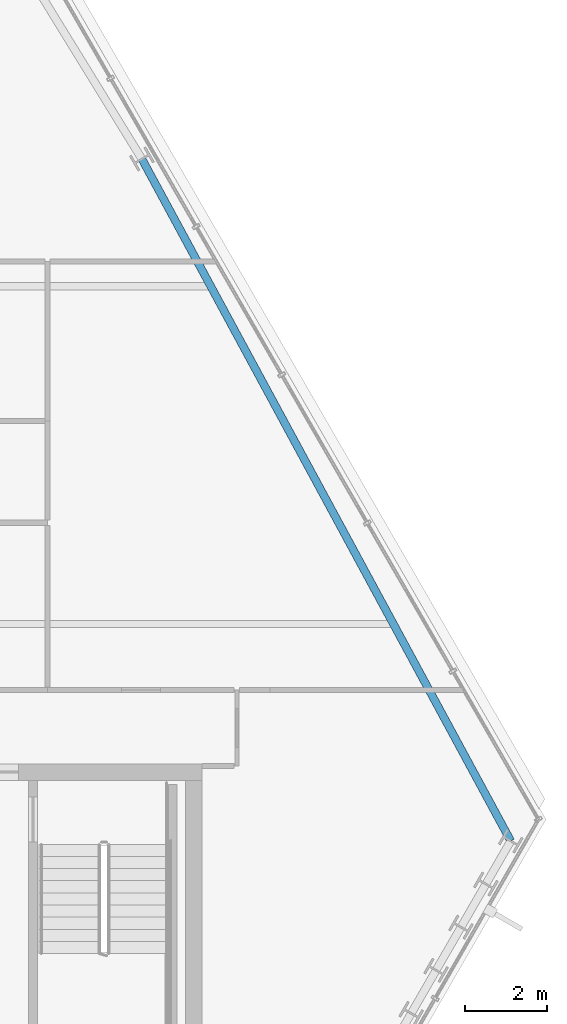
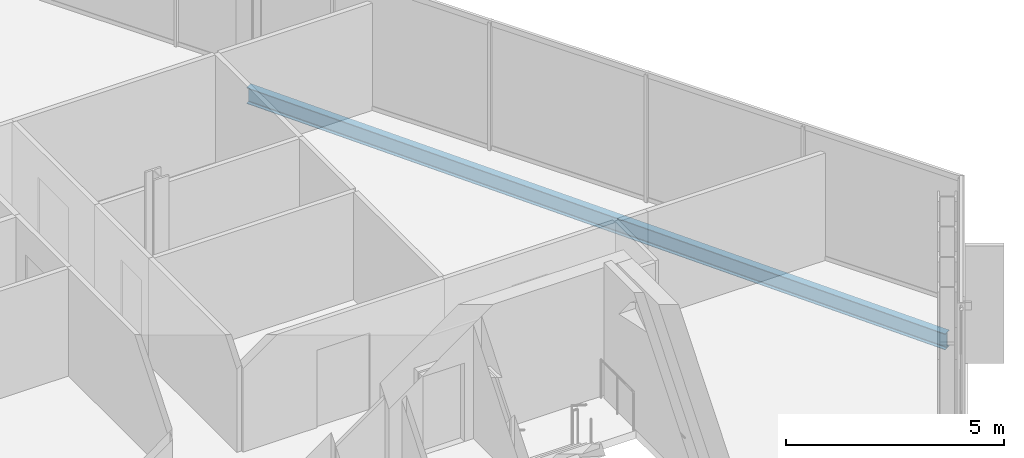
# One storey, part 18 of 35: 1 beam.
"""IFC4 building model written with IfcOpenShell, lengths in metres."""

import ifcopenshell
import ifcopenshell.guid

model = None  # the IFC model being written
_history = None  # IfcOwnerHistory: only IFC2X3 demands one
_inside = {}  # id of a spatial element -> (the spatial element, [elements in it])
_under = {}  # id of a project, library or spatial element -> (it, [spatial elements below it])
_declared = {}  # id of a project -> (the project, [libraries it declares])
_typed = {}  # id of a type object -> (the type object, [elements of that type])
_made_of = {}  # id of a material, layer set ... -> (it, [elements and type objects made of it])


def new_model(schema):
    """Start an empty IFC model of exactly this schema.

    Asked for "IFC4X3", IfcOpenShell would pick the latest addendum, in which some entities
    have other attributes; the version numbers below select the first issue.
    IFC2X3 requires an IfcOwnerHistory on every rooted entity: one is made here for all.
    """
    global model, _history
    if schema == "IFC4X3":
        model = ifcopenshell.file(schema_version=(4, 3, 0, 0))
    else:
        model = ifcopenshell.file(schema=schema)
    _inside.clear()
    _under.clear()
    _declared.clear()
    _typed.clear()
    _made_of.clear()
    _history = None
    if model.schema == "IFC2X3":
        org = make("IfcOrganization", Name="unknown")
        user = make(
            "IfcPersonAndOrganization",
            ThePerson=make("IfcPerson", FamilyName="unknown"),
            TheOrganization=org,
        )
        app = make(
            "IfcApplication",
            ApplicationDeveloper=org,
            Version="unknown",
            ApplicationFullName="unknown",
            ApplicationIdentifier="unknown",
        )
        _history = make(
            "IfcOwnerHistory",
            OwningUser=user,
            OwningApplication=app,
            ChangeAction="ADDED",
            CreationDate=0,
        )
    return model


def make(cls, **values):
    """One entity of the class cls with the attributes given. An attribute that is None is left unset."""
    return model.create_entity(
        cls, **{name: value for name, value in values.items() if value is not None}
    )


def rooted(cls, **values):
    """An entity with a GlobalId (a new one), such as an element, a storey or a relation."""
    return make(cls, GlobalId=ifcopenshell.guid.new(), OwnerHistory=_history, **values)


def si_unit(unit_type, name, prefix=None):
    """IfcSIUnit, for example si_unit("LENGTHUNIT", "METRE", prefix="MILLI")."""
    return make("IfcSIUnit", UnitType=unit_type, Prefix=prefix, Name=name)


def assignment(units):
    """IfcUnitAssignment: the units of a project."""
    return None if units is None else make("IfcUnitAssignment", Units=units)


def point(xyz):
    """IfcCartesianPoint."""
    return None if xyz is None else make("IfcCartesianPoint", Coordinates=xyz)


def direction(xyz):
    """IfcDirection."""
    return None if xyz is None else make("IfcDirection", DirectionRatios=xyz)


def frame(location, z_axis=None, x_axis=None):
    """IfcAxis2Placement3D, a coordinate frame: its origin and axes. An axis left out is left unset."""
    return make(
        "IfcAxis2Placement3D",
        Location=point(location),
        Axis=direction(z_axis),
        RefDirection=direction(x_axis),
    )


def frame_2d(location, x_axis=None):
    """IfcAxis2Placement2D, a coordinate frame in the plane: its origin and x axis."""
    return make(
        "IfcAxis2Placement2D", Location=point(location), RefDirection=direction(x_axis)
    )


def origin():
    """The frame at (0, 0, 0) with its axes left unset."""
    return frame((0.0, 0.0, 0.0))


def origin_2d():
    """The frame at (0, 0) in the plane with its x axis left unset."""
    return frame_2d((0.0, 0.0))


def place(relative_to, where):
    """IfcLocalPlacement: puts the frame where relative to a parent placement (None: the world)."""
    return make(
        "IfcLocalPlacement", PlacementRelTo=relative_to, RelativePlacement=where
    )


def context(
    kind, dimensions, precision=None, world=None, true_north=None, identifier=None
):
    """IfcGeometricRepresentationContext, for example the 3D "Model" context."""
    return make(
        "IfcGeometricRepresentationContext",
        ContextIdentifier=identifier,
        ContextType=kind,
        CoordinateSpaceDimension=dimensions,
        Precision=precision,
        WorldCoordinateSystem=world,
        TrueNorth=true_north,
    )


def subcontext(parent, identifier, kind, view, scale=None):
    """IfcGeometricRepresentationSubContext, for example "Body" below "Model"."""
    return make(
        "IfcGeometricRepresentationSubContext",
        ContextIdentifier=identifier,
        ContextType=kind,
        ParentContext=parent,
        TargetScale=scale,
        TargetView=view,
    )


def project(units=None, contexts=None):
    """IfcProject with its units and contexts."""
    return rooted(
        "IfcProject",
        Name="project",
        RepresentationContexts=contexts,
        UnitsInContext=assignment(units),
    )


def spatial(cls, under=None, at=None, **own):
    """A site, building, storey or space (cls), placed at a placement, below another one or the project."""
    s = rooted(cls, ObjectPlacement=at, **own)
    if under is not None:
        _under.setdefault(under.id(), (under, []))[1].append(s)
    return s


def profile(cls, at=None, kind="AREA", **sizes):
    """A parametric profile (cls). Its sizes go by their IFC names, for example OverallWidth=200.0."""
    return make(cls, ProfileType=kind, Position=at, **sizes)


def i_section(**sizes):
    """IfcIShapeProfileDef."""
    return profile("IfcIShapeProfileDef", **sizes)


def extrude(swept, where, along, depth):
    """IfcExtrudedAreaSolid: the profile swept, set in the frame where, extruded along a direction by depth."""
    return make(
        "IfcExtrudedAreaSolid",
        SweptArea=swept,
        Position=where,
        ExtrudedDirection=direction(along),
        Depth=depth,
    )


def shape(context_of_items, identifier, shape_type, items):
    """IfcShapeRepresentation: the items that make up one representation, for example the "Body"."""
    return make(
        "IfcShapeRepresentation",
        ContextOfItems=context_of_items,
        RepresentationIdentifier=identifier,
        RepresentationType=shape_type,
        Items=items,
    )


def material(Name=None, Category=None):
    """IfcMaterial."""
    return make("IfcMaterial", Name=Name, Category=Category)


def material_profile(
    of_material, cross_section, Name=None, Category=None, Priority=None
):
    """IfcMaterialProfile: a cross section and its material."""
    return make(
        "IfcMaterialProfile",
        Name=Name,
        Material=of_material,
        Profile=cross_section,
        Priority=Priority,
        Category=Category,
    )


def profile_set(profiles, Name=None, composite=None):
    """IfcMaterialProfileSet."""
    return make(
        "IfcMaterialProfileSet",
        Name=Name,
        MaterialProfiles=profiles,
        CompositeProfile=composite,
    )


def made_of(thing, what):
    """Note that an element or type object is made of a material, layer set ...; save() writes the relation."""
    if what is not None:
        _made_of.setdefault(what.id(), (what, []))[1].append(thing)
    return thing


def type_object(cls, material=None, **own):
    """A type object (cls), such as IfcWallType, which elements share."""
    return made_of(rooted(cls, **own), material)


def element(
    cls,
    number,
    at=None,
    inside=None,
    cuts=None,
    type_object=None,
    material=None,
    context=None,
    identifier="Body",
    shape_type=None,
    held_by="IfcProductDefinitionShape",
    body=None,
    shapes=None,
    **own,
):
    """One element of the class cls, such as IfcWall. Its Tag is "e" and its number.

    at: its placement. inside: the storey or other place that contains it. cuts: it is an
    opening in that element (IfcRelVoidsElement). A single representation is given by context,
    identifier, shape_type and body (its items); several are given by shapes. held_by: the class
    of the entity that holds the representations. save() writes the other relations.
    """
    e = rooted(cls, Tag="e%d" % number, ObjectPlacement=at, **own)
    if body is not None:
        shapes = [shape(context, identifier, shape_type, body)]
    if shapes is not None:
        e.Representation = make(held_by, Representations=shapes)
    if inside is not None:
        _inside.setdefault(inside.id(), (inside, []))[1].append(e)
    if cuts is not None:
        rooted(
            "IfcRelVoidsElement", RelatingBuildingElement=cuts, RelatedOpeningElement=e
        )
    if type_object is not None:
        _typed.setdefault(type_object.id(), (type_object, []))[1].append(e)
    return made_of(e, material)


def aggregate(whole, parts):
    """IfcRelAggregates: a whole, such as a stair, and the parts it consists of."""
    return rooted("IfcRelAggregates", RelatingObject=whole, RelatedObjects=parts)


def save(model, path):
    """Write the relations noted so far, then the file.

    IfcRelAggregates (storeys below a building ...), IfcRelContainedInSpatialStructure (elements
    in a storey), IfcRelDefinesByType, IfcRelAssociatesMaterial and IfcRelDeclares: one each for
    every whole, place, type object, material and project.
    """
    for whole, parts in _under.values():
        aggregate(whole, parts)
    for where, things in _inside.values():
        rooted(
            "IfcRelContainedInSpatialStructure",
            RelatedElements=things,
            RelatingStructure=where,
        )
    for kind, things in _typed.values():
        rooted("IfcRelDefinesByType", RelatedObjects=things, RelatingType=kind)
    for what, things in _made_of.values():
        rooted("IfcRelAssociatesMaterial", RelatedObjects=things, RelatingMaterial=what)
    for by, libraries in _declared.values():
        rooted("IfcRelDeclares", RelatingContext=by, RelatedDefinitions=libraries)
    model.write(path)


model = new_model("IFC4")

# Units and contexts
model_context = context("Model", 3, precision=1e-05, world=origin(), true_north=direction((0.0, 1.0)))
body_context = subcontext(model_context, "Body", "Model", "MODEL_VIEW")
ifc_project = project(units=[si_unit("LENGTHUNIT", "METRE"), si_unit("AREAUNIT", "SQUARE_METRE"), si_unit("VOLUMEUNIT", "CUBIC_METRE"), si_unit("PLANEANGLEUNIT", "RADIAN"), si_unit("MASSUNIT", "GRAM", prefix="KILO")], contexts=[model_context])

# Site, building, storey
site_placement = place(None, origin())
site = spatial("IfcSite", under=ifc_project, at=site_placement, CompositionType="ELEMENT")
building_placement = place(site_placement, origin())
building = spatial("IfcBuilding", under=site, at=building_placement, Name="Ndaravel Arena Tower", CompositionType="ELEMENT")
storey_placement = place(building_placement, frame((0.0, 0.0, 172.60009765625)))
storey = spatial("IfcBuildingStorey", under=building, at=storey_placement, Name="L41", CompositionType="ELEMENT", Elevation=172.60009765625)

# Beam
ifc_material = material(Name="Steel S355", Category="steel")
ifc_material_profile = material_profile(ifc_material, i_section(OverallWidth=0.18994140625, OverallDepth=0.449951171875, WebThickness=0.009521484375, FlangeThickness=0.0146484375, FilletRadius=0.02099609375, at=origin_2d()), Name="IPE 450")
ifc_profile_set = profile_set([ifc_material_profile], Name="Steel S355")
beam_type = type_object("IfcBeamType", Name="BM-SPAN-IPE450", PredefinedType="SPANDREL", material=ifc_profile_set)
beam_placement = place(storey_placement, frame((65.050537109375, 13.32958984375, -0.445068359375), z_axis=(-0.475732906859, 0.879589791512, 0.0), x_axis=(-0.879589791512, -0.475732906859, 0.0)))
element("IfcBeam", 1, at=beam_placement, inside=storey, type_object=beam_type, Name="L41 Perimeter Spandrel Beam SP-09", PredefinedType="SPANDREL", context=body_context, shape_type="SweptSolid", body=[
    extrude(i_section(OverallWidth=0.18994140625, OverallDepth=0.449951171875, WebThickness=0.009521484375, FlangeThickness=0.0146484375, FilletRadius=0.02099609375, at=origin_2d()), origin(), (0.0, 0.0, 1.0), 18.827880859375),
])

save(model, "model.ifc")
